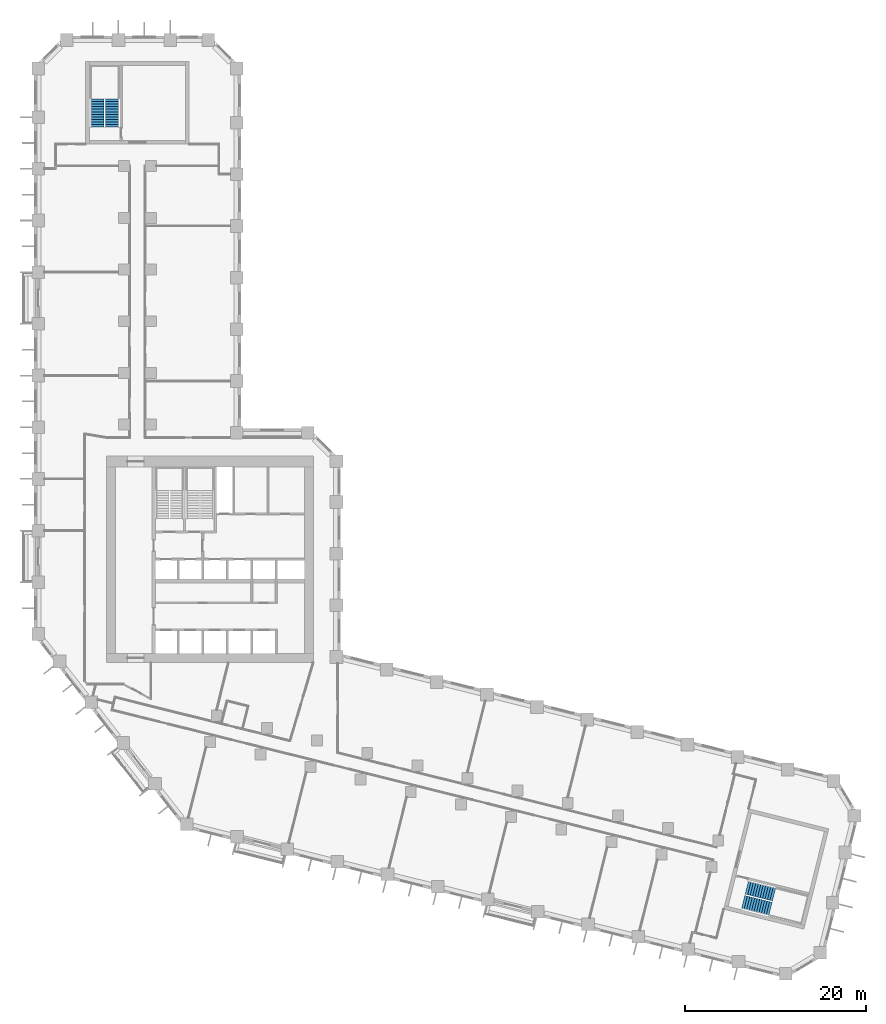
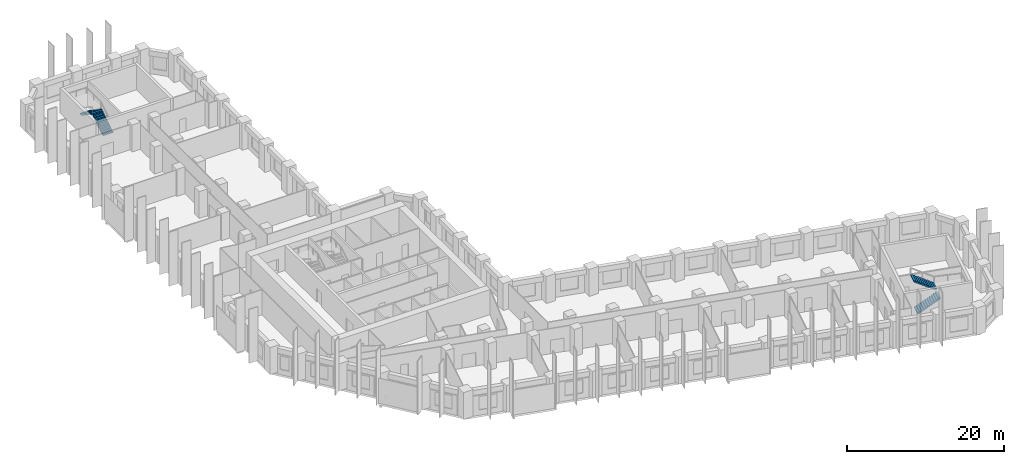
# One storey, part 11 of 12: 4 stair flights, 2 elements without a shape of their own.
"""IFC4 building model written with IfcOpenShell, lengths in metres."""

from ifc_helpers import new_model, si_unit, direction, frame, origin, place, context, subcontext, project, spatial, polyline, outline, extrude, material, type_object, element, aggregate, save


model = new_model("IFC4")

# Units and contexts
model_context = context("Model", 3, precision=1e-05, world=origin(), true_north=direction((0.0, 1.0)))
body_context = subcontext(model_context, "Body", "Model", "MODEL_VIEW")
ifc_project = project(units=[si_unit("LENGTHUNIT", "METRE"), si_unit("AREAUNIT", "SQUARE_METRE"), si_unit("VOLUMEUNIT", "CUBIC_METRE"), si_unit("PLANEANGLEUNIT", "RADIAN"), si_unit("MASSUNIT", "GRAM", prefix="KILO")], contexts=[model_context])

# Site, building, storey
site_placement = place(None, origin())
site = spatial("IfcSite", under=ifc_project, at=site_placement, CompositionType="ELEMENT")
building_placement = place(site_placement, origin())
building = spatial("IfcBuilding", under=site, at=building_placement, Name="Meshkara Civic Tower", CompositionType="ELEMENT")
storey_placement = place(building_placement, frame((0.0, 0.0, 83.39990234375)))
storey = spatial("IfcBuildingStorey", under=building, at=storey_placement, Name="L18", CompositionType="ELEMENT", Elevation=83.39990234375)

# Stair, stair flights
ifc_material_1 = material(Name="Precast concrete C40/50", Category="concrete")
stair_type = type_object("IfcStairType", Name="Exit stair half-turn 24 risers 1500 precast", PredefinedType="HALF_TURN_STAIR", material=ifc_material_1)
stair_1_placement = place(storey_placement, origin())
stair_1 = element("IfcStair", 1, at=stair_1_placement, inside=storey, type_object=stair_type, Name="L18 exit stair A from B2", PredefinedType="HALF_TURN_STAIR")
ifc_material_2 = material(Name="Precast concrete C40/50", Category="concrete")
stair_flight_type = type_object("IfcStairFlightType", Name="Exit stair flight 12 risers 1500 precast", PredefinedType="STRAIGHT", material=ifc_material_2)
stair_flight_1_placement = place(storey_placement, frame((8.625, 73.169921875, 0.0), z_axis=(0.0, 0.0, 1.0), x_axis=(0.0, 1.0, 0.0)))
stair_flight_1 = element("IfcStairFlight", 2, at=stair_flight_1_placement, type_object=stair_flight_type, Name="ESA1 flight 1", NumberOfRisers=12, NumberOfTreads=11, PredefinedType="STRAIGHT", RiserHeight=0.175, TreadLength=0.28, context=body_context, shape_type="SweptSolid", body=[
    extrude(outline(polyline([(0.0, 0.0), (0.0, 0.175048828125), (0.280029296875, 0.175048828125), (0.280029296875, 0.35009765625), (0.56005859375, 0.35009765625), (0.56005859375, 0.52490234375), (0.840087890625, 0.52490234375), (0.840087890625, 0.699951171875), (1.1201171875, 0.699951171875), (1.1201171875, 0.875), (1.39990234375, 0.875), (1.39990234375, 1.050048828125), (1.679931640625, 1.050048828125), (1.679931640625, 1.22509765625), (1.9599609375, 1.22509765625), (1.9599609375, 1.39990234375), (2.239990234375, 1.39990234375), (2.239990234375, 1.574951171875), (2.52001953125, 1.574951171875), (2.52001953125, 1.75), (2.800048828125, 1.75), (2.800048828125, 1.925048828125), (3.080078125, 1.925048828125), (3.080078125, 2.10009765625), (3.080078125, 1.748291015625), (0.28271484375, 0.0), (0.0, 0.0)])), frame((0.0, 0.75, 0.0), z_axis=(0.0, -1.0, 0.0), x_axis=(1.0, 0.0, 0.0)), (0.0, 0.0, 1.0), 1.5),
])
stair_flight_2_placement = place(storey_placement, frame((6.97509765625, 76.25, 2.10009765625), z_axis=(0.0, 0.0, 1.0), x_axis=(0.0, -1.0, 0.0)))
stair_flight_2 = element("IfcStairFlight", 3, at=stair_flight_2_placement, type_object=stair_flight_type, Name="ESA1 flight 2", NumberOfRisers=12, NumberOfTreads=11, PredefinedType="STRAIGHT", RiserHeight=0.175, TreadLength=0.28, context=body_context, shape_type="SweptSolid", body=[
    extrude(outline(polyline([(0.0, 0.0), (0.0, 0.175048828125), (0.280029296875, 0.175048828125), (0.280029296875, 0.35009765625), (0.56005859375, 0.35009765625), (0.56005859375, 0.52490234375), (0.840087890625, 0.52490234375), (0.840087890625, 0.699951171875), (1.1201171875, 0.699951171875), (1.1201171875, 0.875), (1.39990234375, 0.875), (1.39990234375, 1.050048828125), (1.679931640625, 1.050048828125), (1.679931640625, 1.22509765625), (1.9599609375, 1.22509765625), (1.9599609375, 1.39990234375), (2.239990234375, 1.39990234375), (2.239990234375, 1.574951171875), (2.52001953125, 1.574951171875), (2.52001953125, 1.75), (2.800048828125, 1.75), (2.800048828125, 1.925048828125), (3.080078125, 1.925048828125), (3.080078125, 2.10009765625), (3.080078125, 1.748291015625), (0.28271484375, 0.0), (0.0, 0.0)])), frame((0.0, 0.75, 0.0), z_axis=(0.0, -1.0, 0.0), x_axis=(1.0, 0.0, 0.0)), (0.0, 0.0, 1.0), 1.5),
])
aggregate(stair_1, [stair_flight_1, stair_flight_2])

stair_2_placement = place(storey_placement, origin())
stair_2 = element("IfcStair", 4, at=stair_2_placement, inside=storey, type_object=stair_type, Name="L18 exit stair B from B2", PredefinedType="HALF_TURN_STAIR")
stair_flight_3_placement = place(storey_placement, frame((78.214599609375, -12.3125, 0.0), z_axis=(0.0, 0.0, 1.0), x_axis=(0.970260066579, -0.242064873955, 0.0)))
stair_flight_3 = element("IfcStairFlight", 5, at=stair_flight_3_placement, type_object=stair_flight_type, Name="ESB1 flight 1", NumberOfRisers=12, NumberOfTreads=11, PredefinedType="STRAIGHT", RiserHeight=0.175, TreadLength=0.28, context=body_context, shape_type="SweptSolid", body=[
    extrude(outline(polyline([(0.0, 0.0), (0.0, 0.175048828125), (0.280029296875, 0.175048828125), (0.280029296875, 0.35009765625), (0.56005859375, 0.35009765625), (0.56005859375, 0.52490234375), (0.840087890625, 0.52490234375), (0.840087890625, 0.699951171875), (1.1201171875, 0.699951171875), (1.1201171875, 0.875), (1.39990234375, 0.875), (1.39990234375, 1.050048828125), (1.679931640625, 1.050048828125), (1.679931640625, 1.22509765625), (1.9599609375, 1.22509765625), (1.9599609375, 1.39990234375), (2.239990234375, 1.39990234375), (2.239990234375, 1.574951171875), (2.52001953125, 1.574951171875), (2.52001953125, 1.75), (2.800048828125, 1.75), (2.800048828125, 1.925048828125), (3.080078125, 1.925048828125), (3.080078125, 2.10009765625), (3.080078125, 1.748291015625), (0.28271484375, 0.0), (0.0, 0.0)])), frame((0.0, 0.75, 0.0), z_axis=(0.0, -1.0, 0.0), x_axis=(1.0, 0.0, 0.0)), (0.0, 0.0, 1.0), 1.5),
])
stair_flight_4_placement = place(storey_placement, frame((81.6025390625, -11.457275390625, 2.10009765625), z_axis=(0.0, 0.0, 1.0), x_axis=(-0.970260066579, 0.242064873955, 0.0)))
stair_flight_4 = element("IfcStairFlight", 6, at=stair_flight_4_placement, type_object=stair_flight_type, Name="ESB1 flight 2", NumberOfRisers=12, NumberOfTreads=11, PredefinedType="STRAIGHT", RiserHeight=0.175, TreadLength=0.28, context=body_context, shape_type="SweptSolid", body=[
    extrude(outline(polyline([(0.0, 0.0), (0.0, 0.175048828125), (0.280029296875, 0.175048828125), (0.280029296875, 0.35009765625), (0.56005859375, 0.35009765625), (0.56005859375, 0.52490234375), (0.840087890625, 0.52490234375), (0.840087890625, 0.699951171875), (1.1201171875, 0.699951171875), (1.1201171875, 0.875), (1.39990234375, 0.875), (1.39990234375, 1.050048828125), (1.679931640625, 1.050048828125), (1.679931640625, 1.22509765625), (1.9599609375, 1.22509765625), (1.9599609375, 1.39990234375), (2.239990234375, 1.39990234375), (2.239990234375, 1.574951171875), (2.52001953125, 1.574951171875), (2.52001953125, 1.75), (2.800048828125, 1.75), (2.800048828125, 1.925048828125), (3.080078125, 1.925048828125), (3.080078125, 2.10009765625), (3.080078125, 1.748291015625), (0.28271484375, 0.0), (0.0, 0.0)])), frame((0.0, 0.75, 0.0), z_axis=(0.0, -1.0, 0.0), x_axis=(1.0, 0.0, 0.0)), (0.0, 0.0, 1.0), 1.5),
])
aggregate(stair_2, [stair_flight_3, stair_flight_4])

save(model, "model.ifc")
